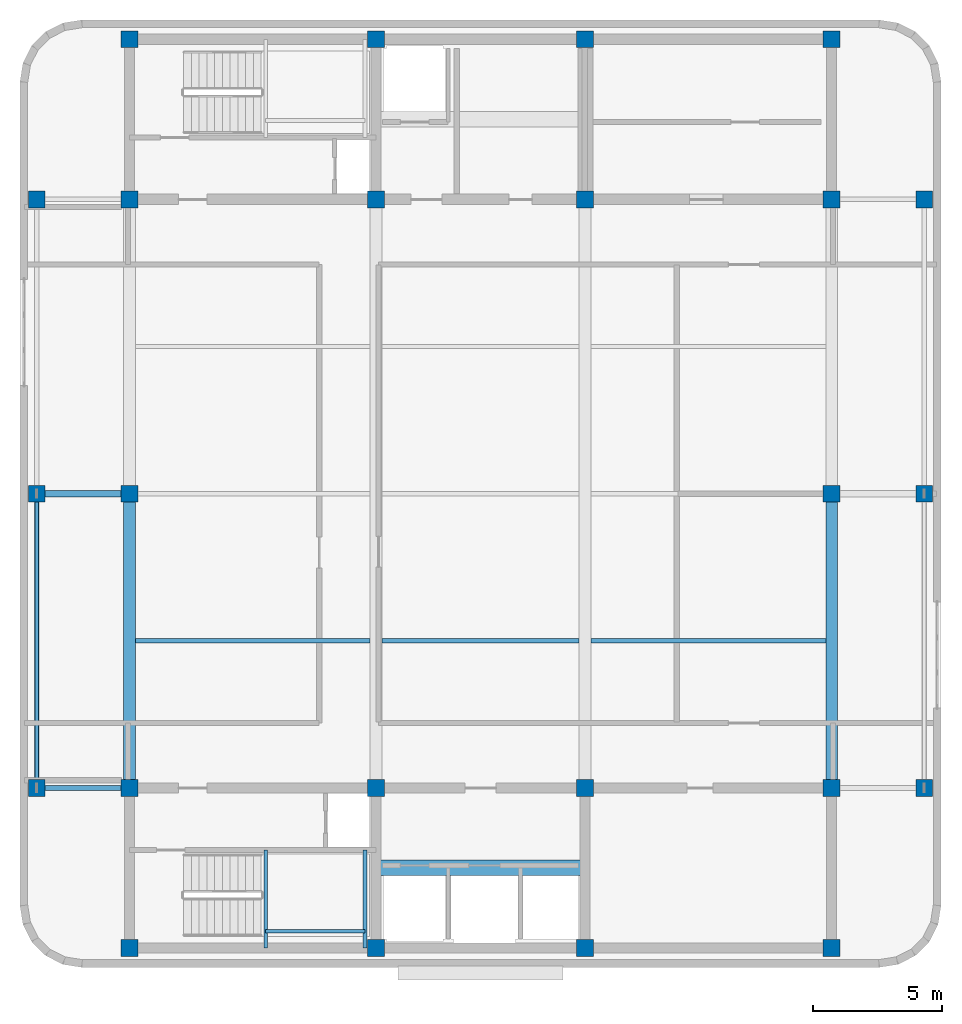
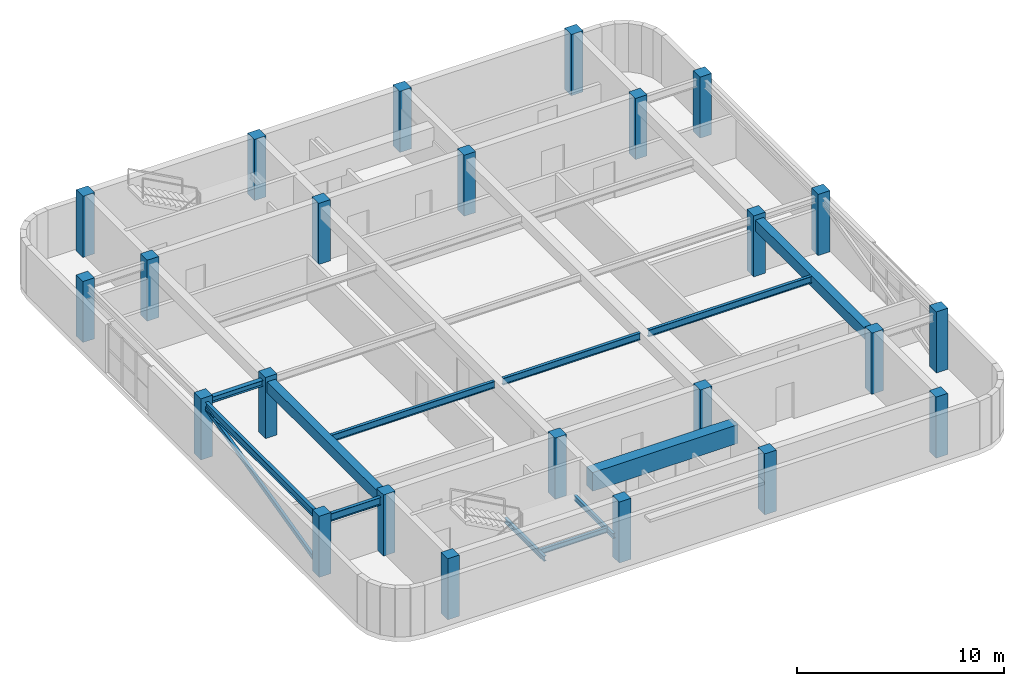
# One storey, part 1 of 9: 24 columns, 12 beams, 1 member.
"""IFC4 building model written with IfcOpenShell, lengths in metres."""

from ifc_helpers import new_model, si_unit, direction, frame, origin, origin_2d, place, context, subcontext, project, spatial, rectangle, hollow_rectangle, i_section, extrude, material, material_profile, profile_set, type_object, element, save


model = new_model("IFC4")

# Units and contexts
model_context = context("Model", 3, precision=1e-05, world=origin(), true_north=direction((0.0, 1.0)))
body_context = subcontext(model_context, "Body", "Model", "MODEL_VIEW")
ifc_project = project(units=[si_unit("LENGTHUNIT", "METRE"), si_unit("AREAUNIT", "SQUARE_METRE"), si_unit("VOLUMEUNIT", "CUBIC_METRE"), si_unit("PLANEANGLEUNIT", "RADIAN"), si_unit("MASSUNIT", "GRAM", prefix="KILO")], contexts=[model_context])

# Site, building, storey
site_placement = place(None, origin())
site = spatial("IfcSite", under=ifc_project, at=site_placement, CompositionType="ELEMENT")
building_placement = place(site_placement, origin())
building = spatial("IfcBuilding", under=site, at=building_placement, Name="Svetorya Sky Lyceum", CompositionType="ELEMENT")
storey_placement = place(building_placement, frame((0.0, 0.0, 305.60009765625)))
storey = spatial("IfcBuildingStorey", under=building, at=storey_placement, Name="C02", CompositionType="ELEMENT", Elevation=305.60009765625)

# Columns
ifc_material_1 = material(Name="Concrete C40/50", Category="concrete")
ifc_material_profile_1 = material_profile(ifc_material_1, rectangle(XDim=0.64990234375, YDim=0.64990234375, at=origin_2d()), Name="RC COL 650x650")
ifc_profile_set_1 = profile_set([ifc_material_profile_1], Name="Concrete C40/50")
column_type = type_object("IfcColumnType", Name="COL-RC-650", PredefinedType="COLUMN", material=ifc_profile_set_1)
for number, where, z_axis, x_axis, name in (
    (1, (25.60009765625, 10.60009765625, 0.0), (0.0, 0.0, 1.0), (1.0, 0.0, 0.0), "C02 Core Column CS-11"),
    (2, (25.60009765625, 16.800048828125, 0.0), (0.0, 0.0, 1.0), (1.0, 0.0, 0.0), "C02 Core Column CS-12"),
    (3, (35.14990234375, 10.60009765625, 0.0), (0.0, 0.0, 1.0), (1.0, 0.0, 0.0), "C02 Core Column CS-21"),
    (4, (35.14990234375, 16.800048828125, 0.0), (0.0, 0.0, 1.0), (1.0, 0.0, 0.0), "C02 Core Column CS-22"),
    (5, (43.25, 10.60009765625, 0.0), (0.0, 0.0, 1.0), (1.0, 0.0, 0.0), "C02 Core Column CS-31"),
    (6, (43.25, 16.800048828125, 0.0), (0.0, 0.0, 1.0), (1.0, 0.0, 0.0), "C02 Core Column CS-32"),
    (7, (52.800048828125, 10.60009765625, 0.0), (0.0, 0.0, 1.0), (1.0, 0.0, 0.0), "C02 Core Column CS-41"),
    (8, (52.800048828125, 16.800048828125, 0.0), (0.0, 0.0, 1.0), (1.0, 0.0, 0.0), "C02 Core Column CS-42"),
    (9, (25.60009765625, 39.60009765625, 0.0), (0.0, 0.0, 1.0), (1.0, 0.0, 0.0), "C02 Core Column CN-11"),
    (10, (25.60009765625, 45.800048828125, 0.0), (0.0, 0.0, 1.0), (1.0, 0.0, 0.0), "C02 Core Column CN-12"),
    (11, (35.14990234375, 39.60009765625, 0.0), (0.0, 0.0, 1.0), (1.0, 0.0, 0.0), "C02 Core Column CN-21"),
    (12, (35.14990234375, 45.800048828125, 0.0), (0.0, 0.0, 1.0), (1.0, 0.0, 0.0), "C02 Core Column CN-22"),
    (13, (43.25, 39.60009765625, 0.0), (0.0, 0.0, 1.0), (1.0, 0.0, 0.0), "C02 Core Column CN-31"),
    (14, (43.25, 45.800048828125, 0.0), (0.0, 0.0, 1.0), (1.0, 0.0, 0.0), "C02 Core Column CN-32"),
    (15, (52.800048828125, 39.60009765625, 0.0), (0.0, 0.0, 1.0), (1.0, 0.0, 0.0), "C02 Core Column CN-41"),
    (16, (52.800048828125, 45.800048828125, 0.0), (0.0, 0.0, 1.0), (1.0, 0.0, 0.0), "C02 Core Column CN-42"),
    (17, (25.60009765625, 28.199951171875, 0.0), (0.0, 0.0, 1.0), (1.0, 0.0, 0.0), "C02 Core Column CM-W"),
    (18, (52.800048828125, 28.199951171875, 0.0), (0.0, 0.0, 1.0), (1.0, 0.0, 0.0), "C02 Core Column CM-E"),
    (19, (22.010009765625, 16.800048828125, 0.0), (0.0, 0.0, 1.0), (1.0, 0.0, 0.0), "C02 Perimeter Column W1"),
    (20, (56.389892578125, 16.800048828125, 0.0), (0.0, 0.0, 1.0), (1.0, 0.0, 0.0), "C02 Perimeter Column E1"),
    (21, (22.010009765625, 28.199951171875, 0.0), (0.0, 0.0, 1.0), (1.0, 0.0, 0.0), "C02 Perimeter Column W2"),
    (22, (56.389892578125, 28.199951171875, 0.0), (0.0, 0.0, 1.0), (1.0, 0.0, 0.0), "C02 Perimeter Column E2"),
    (23, (22.010009765625, 39.60009765625, 0.0), (0.0, 0.0, 1.0), (1.0, 0.0, 0.0), "C02 Perimeter Column W3"),
    (24, (56.389892578125, 39.60009765625, 0.0), (0.0, 0.0, 1.0), (1.0, 0.0, 0.0), "C02 Perimeter Column E3"),
):
    element("IfcColumn", number, at=place(storey_placement, frame(where, z_axis=z_axis, x_axis=x_axis)), inside=storey, type_object=column_type, Name=name, PredefinedType="COLUMN", context=body_context, shape_type="SweptSolid", body=[
        extrude(rectangle(XDim=0.64990234375, YDim=0.64990234375, at=origin_2d()), origin(), (0.0, 0.0, 1.0), 3.599853515625),
    ])

# Beams
ifc_material_2 = material(Name="Concrete C60/75", Category="concrete")
ifc_material_profile_2 = material_profile(ifc_material_2, rectangle(XDim=0.60009765625, YDim=1.10009765625, at=origin_2d()), Name="RC COUPLING 600x1100")
ifc_profile_set_2 = profile_set([ifc_material_profile_2], Name="Concrete C60/75")
beam_type_1 = type_object("IfcBeamType", Name="BM-CPL-1100", PredefinedType="LINTEL", material=ifc_profile_set_2)
beam_1_placement = place(storey_placement, frame((35.14990234375, 13.699951171875, 2.77001953125), z_axis=(1.0, 0.0, 0.0), x_axis=(0.0, 1.0, 0.0)))
element("IfcBeam", 25, at=beam_1_placement, inside=storey, type_object=beam_type_1, Name="C02 SC Core Coupling Beam", PredefinedType="LINTEL", context=body_context, shape_type="SweptSolid", body=[
    extrude(rectangle(XDim=0.60009765625, YDim=1.10009765625, at=origin_2d()), origin(), (0.0, 0.0, 1.0), 8.10009765625),
])
ifc_material_profile_3 = material_profile(ifc_material_1, rectangle(XDim=0.449951171875, YDim=0.64990234375, at=origin_2d()), Name="RC BEAM 450x650")
ifc_profile_set_3 = profile_set([ifc_material_profile_3], Name="Concrete C40/50")
beam_type_2 = type_object("IfcBeamType", Name="BM-RC-650", PredefinedType="BEAM", material=ifc_profile_set_3)
for number, where, z_axis, x_axis, name in (
    (26, (25.60009765625, 16.800048828125, 2.994873046875), (0.0, 1.0, 0.0), (-1.0, 0.0, 0.0), "C02 Central Bay Primary Girder CG-1A"),
    (27, (52.800048828125, 16.800048828125, 2.994873046875), (0.0, 1.0, 0.0), (-1.0, 0.0, 0.0), "C02 Central Bay Primary Girder CG-4A"),
):
    element("IfcBeam", number, at=place(storey_placement, frame(where, z_axis=z_axis, x_axis=x_axis)), inside=storey, type_object=beam_type_2, Name=name, PredefinedType="BEAM", context=body_context, shape_type="SweptSolid", body=[
        extrude(rectangle(XDim=0.449951171875, YDim=0.64990234375, at=origin_2d()), origin(), (0.0, 0.0, 1.0), 11.39990234375),
    ])
ifc_material_3 = material(Name="Steel S355", Category="steel")
ifc_material_profile_4 = material_profile(ifc_material_3, i_section(OverallWidth=0.14990234375, OverallDepth=0.299072265625, WebThickness=0.006591796875, FlangeThickness=0.010498046875, at=origin_2d()), Name="GOST 30B2")
ifc_profile_set_4 = profile_set([ifc_material_profile_4], Name="Steel S355")
beam_type_3 = type_object("IfcBeamType", Name="BM-STL-30B2", PredefinedType="JOIST", material=ifc_profile_set_4)
for number, where, z_axis, x_axis, name in (
    (28, (30.8798828125, 10.60009765625, 1.450439453125), (0.0, 1.0, 0.0), (-1.0, 0.0, 0.0), "C02 Stair ST-S Half-Landing Support Beam 85.1"),
    (29, (34.719970703125, 10.60009765625, 1.450439453125), (0.0, 1.0, 0.0), (-1.0, 0.0, 0.0), "C02 Stair ST-S Half-Landing Support Beam 85.2"),
):
    element("IfcBeam", number, at=place(storey_placement, frame(where, z_axis=z_axis, x_axis=x_axis)), inside=storey, type_object=beam_type_3, Name=name, PredefinedType="JOIST", context=body_context, shape_type="SweptSolid", body=[
        extrude(i_section(OverallWidth=0.14990234375, OverallDepth=0.299072265625, WebThickness=0.006591796875, FlangeThickness=0.010498046875, at=origin_2d()), origin(), (0.0, 0.0, 1.0), 3.7998046875),
    ])
beam_2_placement = place(storey_placement, frame((30.8798828125, 11.25, 1.450439453125), z_axis=(1.0, 0.0, 0.0), x_axis=(0.0, 1.0, 0.0)))
element("IfcBeam", 30, at=beam_2_placement, inside=storey, type_object=beam_type_3, Name="C02 Stair ST-S Half-Landing Cross Tie 85", PredefinedType="JOIST", context=body_context, shape_type="SweptSolid", body=[
    extrude(i_section(OverallWidth=0.14990234375, OverallDepth=0.299072265625, WebThickness=0.006591796875, FlangeThickness=0.010498046875, at=origin_2d()), origin(), (0.0, 0.0, 1.0), 3.840087890625),
])
ifc_material_profile_5 = material_profile(ifc_material_3, i_section(OverallWidth=0.25, OverallDepth=0.345947265625, WebThickness=0.009521484375, FlangeThickness=0.014404296875, at=origin_2d()), Name="GOST 35Sh2")
ifc_profile_set_5 = profile_set([ifc_material_profile_5], Name="Steel S355")
beam_type_4 = type_object("IfcBeamType", Name="BM-STL-35SH2", PredefinedType="BEAM", material=ifc_profile_set_5)
beam_3_placement = place(storey_placement, frame((22.010009765625, 28.199951171875, 3.14697265625), z_axis=(1.0, 0.0, 0.0), x_axis=(0.0, 1.0, 0.0)))
element("IfcBeam", 31, at=beam_3_placement, inside=storey, type_object=beam_type_4, Name="C02 West Wing Floor Joist W2", PredefinedType="BEAM", context=body_context, shape_type="SweptSolid", body=[
    extrude(i_section(OverallWidth=0.25, OverallDepth=0.345947265625, WebThickness=0.009521484375, FlangeThickness=0.014404296875, at=origin_2d()), origin(), (0.0, 0.0, 1.0), 3.590087890625),
])
ifc_material_profile_6 = material_profile(ifc_material_3, i_section(OverallWidth=0.1650390625, OverallDepth=0.39990234375, WebThickness=0.008056640625, FlangeThickness=0.012939453125, at=origin_2d()), Name="GOST 40B2")
ifc_profile_set_6 = profile_set([ifc_material_profile_6], Name="Steel S355")
beam_type_5 = type_object("IfcBeamType", Name="BM-STL-40B2", PredefinedType="JOIST", material=ifc_profile_set_6)
beam_4_placement = place(storey_placement, frame((25.824951171875, 22.5, 3.119873046875), z_axis=(1.0, 0.0, 0.0), x_axis=(0.0, 1.0, 0.0)))
element("IfcBeam", 32, at=beam_4_placement, inside=storey, type_object=beam_type_5, Name="C02 Central Floor Joist CJ-1.1", PredefinedType="JOIST", context=body_context, shape_type="SweptSolid", body=[
    extrude(i_section(OverallWidth=0.1650390625, OverallDepth=0.39990234375, WebThickness=0.008056640625, FlangeThickness=0.012939453125, at=origin_2d()), origin(), (0.0, 0.0, 1.0), 9.10009765625),
])
beam_5_placement = place(storey_placement, frame((35.375, 22.5, 3.119873046875), z_axis=(1.0, 0.0, 0.0), x_axis=(0.0, 1.0, 0.0)))
element("IfcBeam", 33, at=beam_5_placement, inside=storey, type_object=beam_type_5, Name="C02 Central Floor Joist CJ-1.2", PredefinedType="JOIST", context=body_context, shape_type="SweptSolid", body=[
    extrude(i_section(OverallWidth=0.1650390625, OverallDepth=0.39990234375, WebThickness=0.008056640625, FlangeThickness=0.012939453125, at=origin_2d()), origin(), (0.0, 0.0, 1.0), 7.64990234375),
])
beam_6_placement = place(storey_placement, frame((43.47509765625, 22.5, 3.119873046875), z_axis=(1.0, 0.0, 0.0), x_axis=(0.0, 1.0, 0.0)))
element("IfcBeam", 34, at=beam_6_placement, inside=storey, type_object=beam_type_5, Name="C02 Central Floor Joist CJ-1.3", PredefinedType="JOIST", context=body_context, shape_type="SweptSolid", body=[
    extrude(i_section(OverallWidth=0.1650390625, OverallDepth=0.39990234375, WebThickness=0.008056640625, FlangeThickness=0.012939453125, at=origin_2d()), origin(), (0.0, 0.0, 1.0), 9.099853515625),
])
ifc_material_profile_7 = material_profile(ifc_material_3, i_section(OverallWidth=0.179931640625, OverallDepth=0.449951171875, WebThickness=0.009033203125, FlangeThickness=0.014404296875, at=origin_2d()), Name="GOST 45B2")
ifc_profile_set_7 = profile_set([ifc_material_profile_7], Name="Steel S355")
beam_type_6 = type_object("IfcBeamType", Name="BM-STL-45B2", PredefinedType="SPANDREL", material=ifc_profile_set_7)
beam_7_placement = place(storey_placement, frame((22.010009765625, 16.800048828125, 3.094970703125), z_axis=(1.0, 0.0, 0.0), x_axis=(0.0, 1.0, 0.0)))
element("IfcBeam", 35, at=beam_7_placement, inside=storey, type_object=beam_type_6, Name="C02 Tie Spandrel SW", PredefinedType="SPANDREL", context=body_context, shape_type="SweptSolid", body=[
    extrude(i_section(OverallWidth=0.179931640625, OverallDepth=0.449951171875, WebThickness=0.009033203125, FlangeThickness=0.014404296875, at=origin_2d()), origin(), (0.0, 0.0, 1.0), 3.590087890625),
])
beam_8_placement = place(storey_placement, frame((22.010009765625, 16.800048828125, 3.094970703125), z_axis=(0.0, 1.0, 0.0), x_axis=(-1.0, 0.0, 0.0)))
element("IfcBeam", 36, at=beam_8_placement, inside=storey, type_object=beam_type_6, Name="C02 West Spandrel 1", PredefinedType="SPANDREL", context=body_context, shape_type="SweptSolid", body=[
    extrude(i_section(OverallWidth=0.179931640625, OverallDepth=0.449951171875, WebThickness=0.009033203125, FlangeThickness=0.014404296875, at=origin_2d()), origin(), (0.0, 0.0, 1.0), 11.39990234375),
])

# Member
ifc_material_profile_8 = material_profile(ifc_material_3, hollow_rectangle(XDim=0.14990234375, YDim=0.25, WallThickness=0.010009765625, at=origin_2d()), Name="RHS 250x150x10")
ifc_profile_set_8 = profile_set([ifc_material_profile_8], Name="Steel S355")
member_type = type_object("IfcMemberType", Name="MB-BRC-RHS250", PredefinedType="BRACE", material=ifc_profile_set_8)
member_placement = place(storey_placement, frame((22.010009765625, 16.800048828125, 0.25), z_axis=(0.0, 0.971724925391, 0.236115796537), x_axis=(-1.0, 0.0, 0.0)))
element("IfcMember", 37, at=member_placement, inside=storey, type_object=member_type, Name="C02 Crown Perimeter Frame Brace W", PredefinedType="BRACE", context=body_context, shape_type="SweptSolid", body=[
    extrude(hollow_rectangle(XDim=0.14990234375, YDim=0.25, WallThickness=0.010009765625, at=origin_2d()), origin(), (0.0, 0.0, 1.0), 11.731689453125),
])

save(model, "model.ifc")
